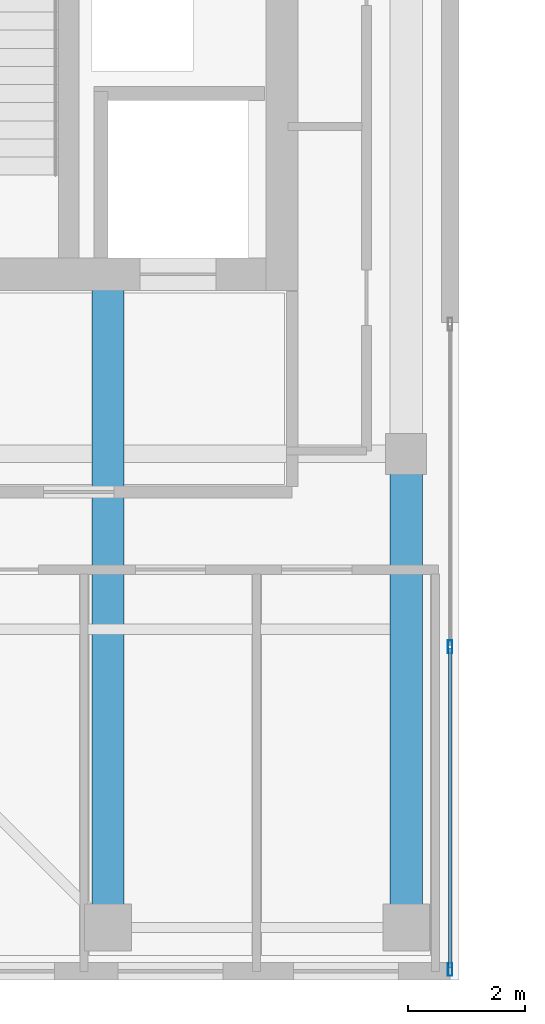
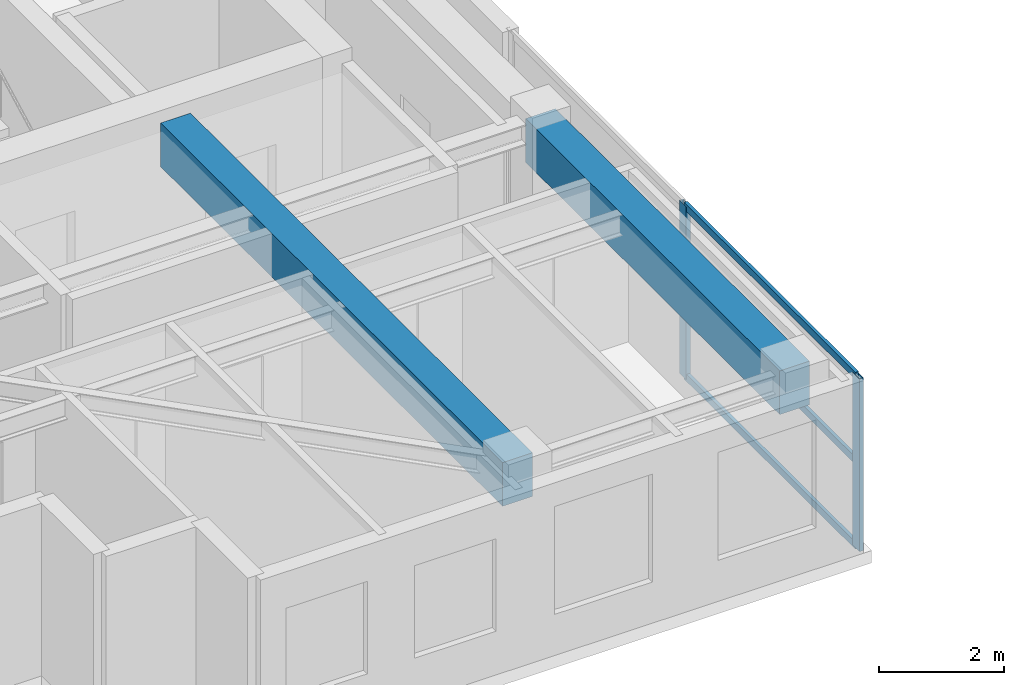
# One storey, part 2 of 23: 5 members, 2 beams, 1 element without a shape of its own.
"""IFC4 building model written with IfcOpenShell, lengths in metres."""

from ifc_helpers import new_model, si_unit, direction, frame, origin, origin_2d, place, context, subcontext, project, spatial, rectangle, hollow_rectangle, extrude, source, transform, mapped, material, layer, layer_set, material_profile, profile_set, type_object, element, aggregate, save


model = new_model("IFC4")

# Units and contexts
model_context = context("Model", 3, precision=1e-05, world=origin(), true_north=direction((0.0, 1.0)))
body_context = subcontext(model_context, "Body", "Model", "MODEL_VIEW")
ifc_project = project(units=[si_unit("LENGTHUNIT", "METRE"), si_unit("AREAUNIT", "SQUARE_METRE"), si_unit("VOLUMEUNIT", "CUBIC_METRE"), si_unit("PLANEANGLEUNIT", "RADIAN"), si_unit("MASSUNIT", "GRAM", prefix="KILO")], contexts=[model_context])

# Site, building, storey
site_placement = place(None, origin())
site = spatial("IfcSite", under=ifc_project, at=site_placement, CompositionType="ELEMENT")
building_placement = place(site_placement, origin())
building = spatial("IfcBuilding", under=site, at=building_placement, Name="Khoralis Quay Care Tower", CompositionType="ELEMENT")
storey_placement = place(building_placement, frame((0.0, 0.0, 252.89990234375)))
storey = spatial("IfcBuildingStorey", under=building, at=storey_placement, Name="L66", CompositionType="ELEMENT", Elevation=252.89990234375)

# Beams
ifc_material_1 = material(Name="Concrete C50/60", Category="concrete")
ifc_material_profile_1 = material_profile(ifc_material_1, rectangle(XDim=0.550048828125, YDim=0.85009765625, at=origin_2d()), Name="Concrete C50/60")
ifc_profile_set_1 = profile_set([ifc_material_profile_1], Name="Concrete C50/60")
beam_type = type_object("IfcBeamType", Name="BM-RC550X850", PredefinedType="BEAM", material=ifc_profile_set_1)
shared_shape_1 = source(origin(), body_context, "Body", "SweptSolid", [
    extrude(rectangle(XDim=0.550048828125, YDim=0.85009765625, at=origin_2d()), origin(), (0.0, 0.0, 1.0), 10.902099609375),
])
beam_1_placement = place(storey_placement, frame((12.0, 3.89990234375, 2.93505859375), z_axis=(0.0, 1.0, 0.0), x_axis=(-1.0, 0.0, 0.0)))
element("IfcBeam", 1, at=beam_1_placement, inside=storey, type_object=beam_type, Name="BM-TGYS-L66-120", PredefinedType="BEAM", context=body_context, shape_type="MappedRepresentation", body=[
    mapped(shared_shape_1, transform((0.0, 0.0, 0.0), scale=1.0)),
])
shared_shape_2 = source(origin(), body_context, "Body", "SweptSolid", [
    extrude(rectangle(XDim=0.550048828125, YDim=0.85009765625, at=origin_2d()), origin(), (0.0, 0.0, 1.0), 8.10009765625),
])
beam_2_placement = place(storey_placement, frame((17.10009765625, 3.89990234375, 2.93505859375), z_axis=(0.0, 1.0, 0.0), x_axis=(-1.0, 0.0, 0.0)))
element("IfcBeam", 2, at=beam_2_placement, inside=storey, type_object=beam_type, Name="BM-TGYS-L66-171", PredefinedType="BEAM", context=body_context, shape_type="MappedRepresentation", body=[
    mapped(shared_shape_2, transform((0.0, 0.0, 0.0), scale=1.0)),
])

# Curtain wall, members
ifc_material_2 = material(Name="Pale anodised aluminium", Category="aluminium")
ifc_layer = layer(ifc_material_2, 0.18994140625)
ifc_layer_set = layer_set([ifc_layer], Name="Pale anodised aluminium")
curtain_wall_type = type_object("IfcCurtainWallType", Name="CW-SYS-PORTAL", PredefinedType="NOTDEFINED", material=ifc_layer_set)
curtain_wall_placement = place(storey_placement, origin())
curtain_wall = element("IfcCurtainWall", 3, at=curtain_wall_placement, inside=storey, type_object=curtain_wall_type, Name="L66 Unitised Curtain Wall CW-VP-L66-P1-S", PredefinedType="NOTDEFINED")
ifc_material_profile_2 = material_profile(ifc_material_2, hollow_rectangle(XDim=0.074951171875, YDim=0.219970703125, WallThickness=0.00390625, at=origin_2d()), Name="Pale anodised aluminium")
ifc_profile_set_2 = profile_set([ifc_material_profile_2], Name="Pale anodised aluminium")
member_type_1 = type_object("IfcMemberType", Name="CW-MUL-220", PredefinedType="MULLION", material=ifc_profile_set_2)
shared_shape_3 = source(origin(), body_context, "Body", "SweptSolid", [
    extrude(hollow_rectangle(XDim=0.074951171875, YDim=0.219970703125, WallThickness=0.00390625, at=origin_2d()), origin(), (0.0, 0.0, 1.0), 3.360107421875),
])
member_1_placement = place(storey_placement, frame((17.85009765625, 3.179931640625, 0.0), z_axis=(0.0, 0.0, 1.0), x_axis=(-1.0, 0.0, 0.0)))
member_1 = element("IfcMember", 4, at=member_1_placement, type_object=member_type_1, Name="CW4 mullion 1", PredefinedType="MULLION", context=body_context, shape_type="MappedRepresentation", body=[
    mapped(shared_shape_3, transform((0.0, 0.0, 0.0), scale=1.0)),
])
member_2_placement = place(storey_placement, frame((17.85009765625, 8.699951171875, 0.0), z_axis=(0.0, 0.0, 1.0), x_axis=(-1.0, 0.0, 0.0)))
member_2 = element("IfcMember", 5, at=member_2_placement, type_object=member_type_1, Name="CW4 mullion 2", PredefinedType="MULLION", context=body_context, shape_type="MappedRepresentation", body=[
    mapped(shared_shape_3, transform((0.0, 0.0, 0.0), scale=1.0)),
])
ifc_material_profile_3 = material_profile(ifc_material_2, hollow_rectangle(XDim=0.06005859375, YDim=0.139892578125, WallThickness=0.00390625, at=origin_2d()), Name="Pale anodised aluminium")
ifc_profile_set_3 = profile_set([ifc_material_profile_3], Name="Pale anodised aluminium")
member_type_2 = type_object("IfcMemberType", Name="CW-TRN-140", PredefinedType="USERDEFINED", material=ifc_profile_set_3)
shared_shape_4 = source(origin(), body_context, "Body", "SweptSolid", [
    extrude(hollow_rectangle(XDim=0.06005859375, YDim=0.139892578125, WallThickness=0.00390625, at=origin_2d()), origin(), (0.0, 0.0, 1.0), 5.4599609375),
])
member_3_placement = place(storey_placement, frame((17.85009765625, 3.2099609375, 0.030029296875), z_axis=(0.0, 1.0, 0.0), x_axis=(-1.0, 0.0, 0.0)))
member_3 = element("IfcMember", 6, at=member_3_placement, type_object=member_type_2, Name="CW4 transom 1.1", ObjectType="TRANSOM", PredefinedType="USERDEFINED", context=body_context, shape_type="MappedRepresentation", body=[
    mapped(shared_shape_4, transform((0.0, 0.0, 0.0), scale=1.0)),
])
member_4_placement = place(storey_placement, frame((17.85009765625, 3.2099609375, 1.68017578125), z_axis=(0.0, 1.0, 0.0), x_axis=(-1.0, 0.0, 0.0)))
member_4 = element("IfcMember", 7, at=member_4_placement, type_object=member_type_2, Name="CW4 transom 1.2", ObjectType="TRANSOM", PredefinedType="USERDEFINED", context=body_context, shape_type="MappedRepresentation", body=[
    mapped(shared_shape_4, transform((0.0, 0.0, 0.0), scale=1.0)),
])
member_5_placement = place(storey_placement, frame((17.85009765625, 3.2099609375, 3.330078125), z_axis=(0.0, 1.0, 0.0), x_axis=(-1.0, 0.0, 0.0)))
member_5 = element("IfcMember", 8, at=member_5_placement, type_object=member_type_2, Name="CW4 transom 1.3", ObjectType="TRANSOM", PredefinedType="USERDEFINED", context=body_context, shape_type="MappedRepresentation", body=[
    mapped(shared_shape_4, transform((0.0, 0.0, 0.0), scale=1.0)),
])
aggregate(curtain_wall, [member_1, member_2, member_3, member_4, member_5])

save(model, "model.ifc")
